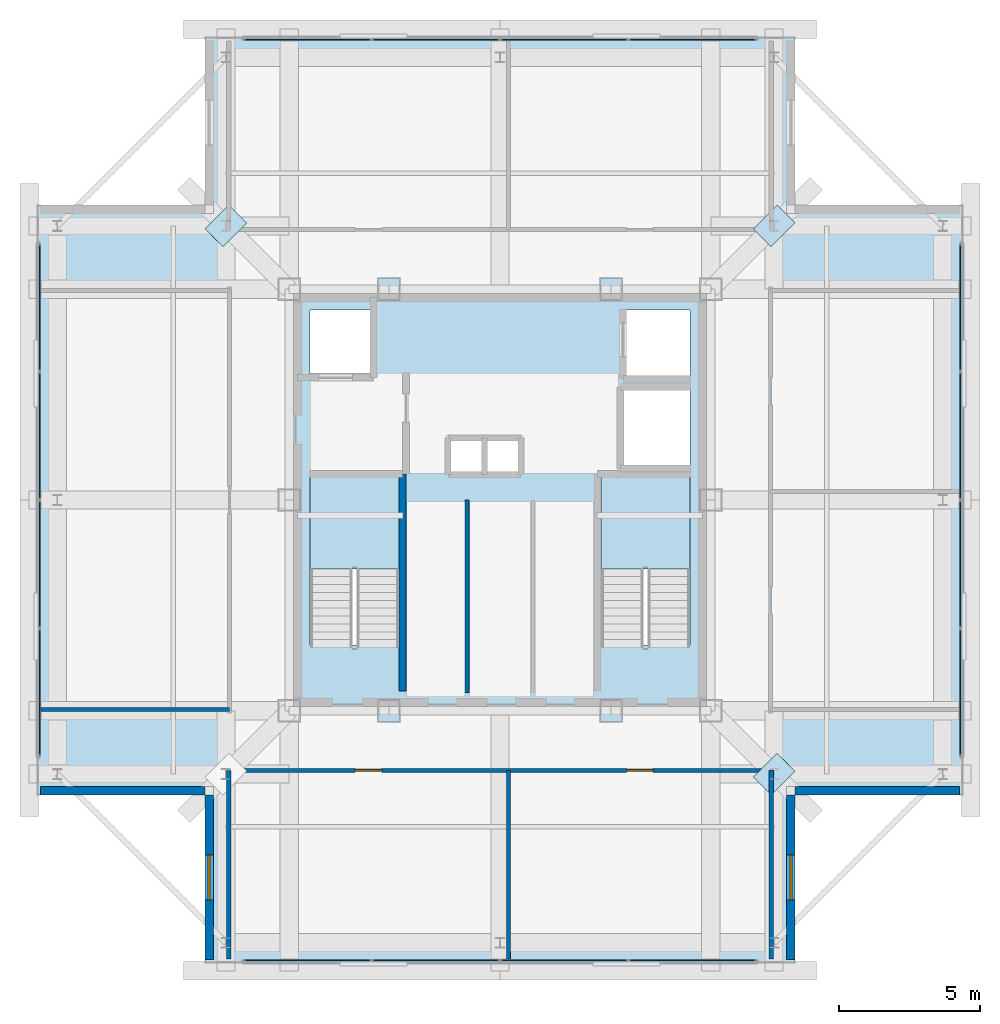
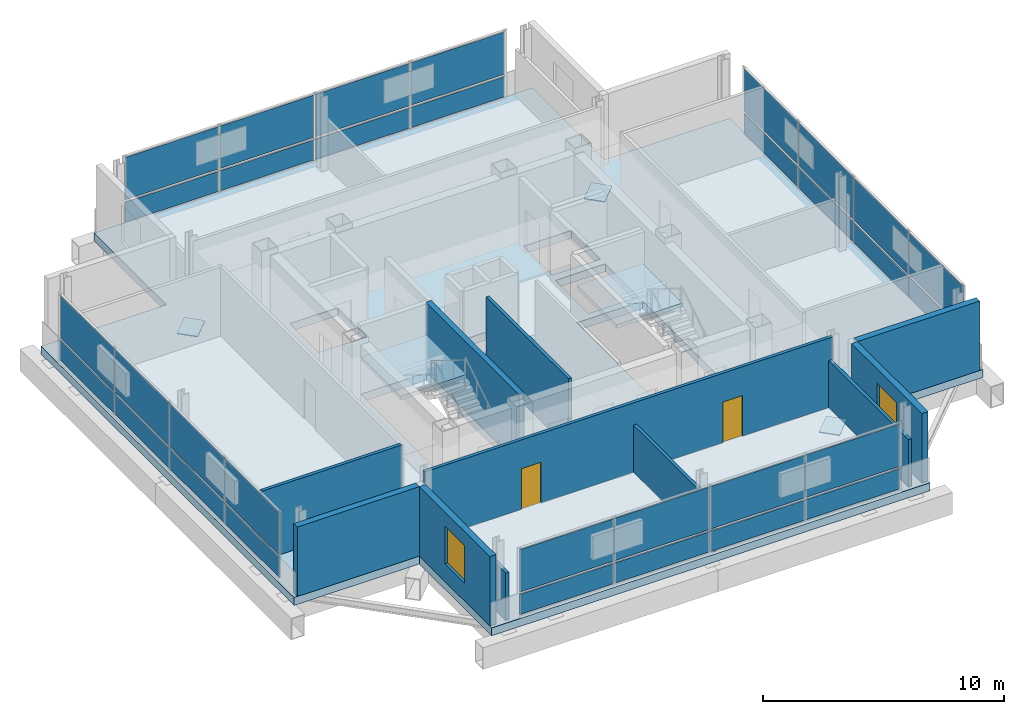
# One storey, part 8 of 12: 35 plates, 11 walls, 3 slabs, 2 doors, 2 windows, 4 openings, 6 elements without a shape of their own.
"""IFC4 building model written with IfcOpenShell, lengths in metres."""

from ifc_helpers import new_model, si_unit, direction, frame, frame_2d, origin, origin_2d, place, context, subcontext, project, spatial, polyline, rectangle, outline, extrude, material, layer, layer_set, type_object, element, fill, aggregate, save


model = new_model("IFC4")

# Units and contexts
model_context = context("Model", 3, precision=1e-05, world=origin(), true_north=direction((0.0, 1.0)))
body_context = subcontext(model_context, "Body", "Model", "MODEL_VIEW")
ifc_project = project(units=[si_unit("LENGTHUNIT", "METRE"), si_unit("AREAUNIT", "SQUARE_METRE"), si_unit("VOLUMEUNIT", "CUBIC_METRE"), si_unit("PLANEANGLEUNIT", "RADIAN"), si_unit("MASSUNIT", "GRAM", prefix="KILO")], contexts=[model_context])

# Site, building, storey
site_placement = place(None, origin())
site = spatial("IfcSite", under=ifc_project, at=site_placement, CompositionType="ELEMENT")
building_placement = place(site_placement, origin())
building = spatial("IfcBuilding", under=site, at=building_placement, Name="Trevonay Congress Spire", CompositionType="ELEMENT")
storey_placement = place(building_placement, frame((0.0, 0.0, 308.39990234375)))
storey = spatial("IfcBuildingStorey", under=building, at=storey_placement, Name="L81", CompositionType="ELEMENT", Elevation=308.39990234375)

# Curtain wall, plates
ifc_material_1 = material(Name="Pale Anodised Aluminium EN AW-6063-T6", Category="aluminium")
ifc_layer_1 = layer(ifc_material_1, 0.159912109375, Name="Pale Anodised Aluminium EN AW-6063-T6")
ifc_layer_set_1 = layer_set([ifc_layer_1], Name="Pale Anodised Aluminium EN AW-6063-T6")
curtain_wall_type = type_object("IfcCurtainWallType", Name="CW-SYS06-CROWN-PALE-METAL", PredefinedType="NOTDEFINED", material=ifc_layer_set_1)
curtain_wall_1_placement = place(storey_placement, origin())
curtain_wall_1 = element("IfcCurtainWall", 1, at=curtain_wall_1_placement, inside=storey, type_object=curtain_wall_type, Name="L81 S unitised curtain wall", PredefinedType="NOTDEFINED")
ifc_material_2 = material(Name="Insulated Low-E Vision Glass IGU", Category="glass")
ifc_layer_2 = layer(ifc_material_2, 0.035888671875, Name="Insulated Low-E Vision Glass IGU")
ifc_layer_set_2 = layer_set([ifc_layer_2], Name="Insulated Low-E Vision Glass IGU")
plate_type_1 = type_object("IfcPlateType", Name="CW-PANEL-IGU36-SILVER", PredefinedType="CURTAIN_PANEL", material=ifc_layer_set_2)
plate_1_placement = place(storey_placement, frame((-6.847412109375, -16.3798828125, 0.1201171875), z_axis=(0.0, 0.0, 1.0), x_axis=(1.0, 0.0, 0.0)))
plate_1 = element("IfcPlate", 2, at=plate_1_placement, type_object=plate_type_1, Name="CW06 panel 1.1", PredefinedType="CURTAIN_PANEL", context=body_context, shape_type="SweptSolid", body=[
    extrude(rectangle(XDim=4.485107421875, YDim=0.035888671875, at=origin_2d()), origin(), (0.0, 0.0, 1.0), 1.016845703125),
])
plate_2_placement = place(storey_placement, frame((-6.847412109375, -16.3798828125, 1.2568359375), z_axis=(0.0, 0.0, 1.0), x_axis=(1.0, 0.0, 0.0)))
plate_2 = element("IfcPlate", 3, at=plate_2_placement, type_object=plate_type_1, Name="CW06 panel 1.2", PredefinedType="CURTAIN_PANEL", context=body_context, shape_type="SweptSolid", body=[
    extrude(rectangle(XDim=4.485107421875, YDim=0.035888671875, at=origin_2d()), origin(), (0.0, 0.0, 1.0), 2.143310546875),
])
plate_3_placement = place(storey_placement, frame((-2.28759765625, -16.3798828125, 0.1201171875), z_axis=(0.0, 0.0, 1.0), x_axis=(1.0, 0.0, 0.0)))
plate_3 = element("IfcPlate", 4, at=plate_3_placement, type_object=plate_type_1, Name="CW06 panel 2.1", PredefinedType="CURTAIN_PANEL", context=body_context, shape_type="SweptSolid", body=[
    extrude(rectangle(XDim=4.514892578125, YDim=0.035888671875, at=origin_2d()), origin(), (0.0, 0.0, 1.0), 1.016845703125),
])
plate_4_placement = place(storey_placement, frame((-2.28759765625, -16.3798828125, 1.2568359375), z_axis=(0.0, 0.0, 1.0), x_axis=(1.0, 0.0, 0.0)))
plate_4 = element("IfcPlate", 5, at=plate_4_placement, type_object=plate_type_1, Name="CW06 panel 2.2", PredefinedType="CURTAIN_PANEL", context=body_context, shape_type="SweptSolid", body=[
    extrude(rectangle(XDim=4.514892578125, YDim=0.035888671875, at=origin_2d()), origin(), (0.0, 0.0, 1.0), 2.143310546875),
])
plate_5_placement = place(storey_placement, frame((2.28759765625, -16.3798828125, 0.1201171875), z_axis=(0.0, 0.0, 1.0), x_axis=(1.0, 0.0, 0.0)))
plate_5 = element("IfcPlate", 6, at=plate_5_placement, type_object=plate_type_1, Name="CW06 panel 3.1", PredefinedType="CURTAIN_PANEL", context=body_context, shape_type="SweptSolid", body=[
    extrude(rectangle(XDim=4.514892578125, YDim=0.035888671875, at=origin_2d()), origin(), (0.0, 0.0, 1.0), 1.016845703125),
])
plate_6_placement = place(storey_placement, frame((2.28759765625, -16.3798828125, 1.2568359375), z_axis=(0.0, 0.0, 1.0), x_axis=(1.0, 0.0, 0.0)))
plate_6 = element("IfcPlate", 7, at=plate_6_placement, type_object=plate_type_1, Name="CW06 panel 3.2", PredefinedType="CURTAIN_PANEL", context=body_context, shape_type="SweptSolid", body=[
    extrude(rectangle(XDim=4.514892578125, YDim=0.035888671875, at=origin_2d()), origin(), (0.0, 0.0, 1.0), 2.143310546875),
])
plate_7_placement = place(storey_placement, frame((6.847412109375, -16.3798828125, 0.1201171875), z_axis=(0.0, 0.0, 1.0), x_axis=(1.0, 0.0, 0.0)))
plate_7 = element("IfcPlate", 8, at=plate_7_placement, type_object=plate_type_1, Name="CW06 panel 4.1", PredefinedType="CURTAIN_PANEL", context=body_context, shape_type="SweptSolid", body=[
    extrude(rectangle(XDim=4.485107421875, YDim=0.035888671875, at=origin_2d()), origin(), (0.0, 0.0, 1.0), 1.016845703125),
])
plate_8_placement = place(storey_placement, frame((6.847412109375, -16.3798828125, 1.2568359375), z_axis=(0.0, 0.0, 1.0), x_axis=(1.0, 0.0, 0.0)))
plate_8 = element("IfcPlate", 9, at=plate_8_placement, type_object=plate_type_1, Name="CW06 panel 4.2", PredefinedType="CURTAIN_PANEL", context=body_context, shape_type="SweptSolid", body=[
    extrude(rectangle(XDim=4.485107421875, YDim=0.035888671875, at=origin_2d()), origin(), (0.0, 0.0, 1.0), 2.143310546875),
])
aggregate(curtain_wall_1, [plate_1, plate_2, plate_3, plate_4, plate_5, plate_6, plate_7, plate_8])

curtain_wall_2_placement = place(storey_placement, origin())
curtain_wall_2 = element("IfcCurtainWall", 10, at=curtain_wall_2_placement, inside=storey, type_object=curtain_wall_type, Name="L81 N unitised curtain wall", PredefinedType="NOTDEFINED")
plate_9_placement = place(storey_placement, frame((-6.847412109375, 16.3798828125, 0.1201171875), z_axis=(0.0, 0.0, 1.0), x_axis=(1.0, 0.0, 0.0)))
plate_9 = element("IfcPlate", 11, at=plate_9_placement, type_object=plate_type_1, Name="CW06 panel 1.1", PredefinedType="CURTAIN_PANEL", context=body_context, shape_type="SweptSolid", body=[
    extrude(rectangle(XDim=4.485107421875, YDim=0.035888671875, at=origin_2d()), origin(), (0.0, 0.0, 1.0), 1.016845703125),
])
plate_10_placement = place(storey_placement, frame((-6.847412109375, 16.3798828125, 1.2568359375), z_axis=(0.0, 0.0, 1.0), x_axis=(1.0, 0.0, 0.0)))
plate_10 = element("IfcPlate", 12, at=plate_10_placement, type_object=plate_type_1, Name="CW06 panel 1.2", PredefinedType="CURTAIN_PANEL", context=body_context, shape_type="SweptSolid", body=[
    extrude(rectangle(XDim=4.485107421875, YDim=0.035888671875, at=origin_2d()), origin(), (0.0, 0.0, 1.0), 2.143310546875),
])
plate_11_placement = place(storey_placement, frame((-2.28759765625, 16.3798828125, 0.1201171875), z_axis=(0.0, 0.0, 1.0), x_axis=(1.0, 0.0, 0.0)))
plate_11 = element("IfcPlate", 13, at=plate_11_placement, type_object=plate_type_1, Name="CW06 panel 2.1", PredefinedType="CURTAIN_PANEL", context=body_context, shape_type="SweptSolid", body=[
    extrude(rectangle(XDim=4.514892578125, YDim=0.035888671875, at=origin_2d()), origin(), (0.0, 0.0, 1.0), 1.016845703125),
])
plate_12_placement = place(storey_placement, frame((-2.28759765625, 16.3798828125, 1.2568359375), z_axis=(0.0, 0.0, 1.0), x_axis=(1.0, 0.0, 0.0)))
plate_12 = element("IfcPlate", 14, at=plate_12_placement, type_object=plate_type_1, Name="CW06 panel 2.2", PredefinedType="CURTAIN_PANEL", context=body_context, shape_type="SweptSolid", body=[
    extrude(rectangle(XDim=4.514892578125, YDim=0.035888671875, at=origin_2d()), origin(), (0.0, 0.0, 1.0), 2.143310546875),
])
plate_13_placement = place(storey_placement, frame((2.28759765625, 16.3798828125, 0.1201171875), z_axis=(0.0, 0.0, 1.0), x_axis=(1.0, 0.0, 0.0)))
plate_13 = element("IfcPlate", 15, at=plate_13_placement, type_object=plate_type_1, Name="CW06 panel 3.1", PredefinedType="CURTAIN_PANEL", context=body_context, shape_type="SweptSolid", body=[
    extrude(rectangle(XDim=4.514892578125, YDim=0.035888671875, at=origin_2d()), origin(), (0.0, 0.0, 1.0), 1.016845703125),
])
plate_14_placement = place(storey_placement, frame((2.28759765625, 16.3798828125, 1.2568359375), z_axis=(0.0, 0.0, 1.0), x_axis=(1.0, 0.0, 0.0)))
plate_14 = element("IfcPlate", 16, at=plate_14_placement, type_object=plate_type_1, Name="CW06 panel 3.2", PredefinedType="CURTAIN_PANEL", context=body_context, shape_type="SweptSolid", body=[
    extrude(rectangle(XDim=4.514892578125, YDim=0.035888671875, at=origin_2d()), origin(), (0.0, 0.0, 1.0), 2.143310546875),
])
plate_15_placement = place(storey_placement, frame((6.847412109375, 16.3798828125, 0.1201171875), z_axis=(0.0, 0.0, 1.0), x_axis=(1.0, 0.0, 0.0)))
plate_15 = element("IfcPlate", 17, at=plate_15_placement, type_object=plate_type_1, Name="CW06 panel 4.1", PredefinedType="CURTAIN_PANEL", context=body_context, shape_type="SweptSolid", body=[
    extrude(rectangle(XDim=4.485107421875, YDim=0.035888671875, at=origin_2d()), origin(), (0.0, 0.0, 1.0), 1.016845703125),
])
plate_16_placement = place(storey_placement, frame((6.847412109375, 16.3798828125, 1.2568359375), z_axis=(0.0, 0.0, 1.0), x_axis=(1.0, 0.0, 0.0)))
plate_16 = element("IfcPlate", 18, at=plate_16_placement, type_object=plate_type_1, Name="CW06 panel 4.2", PredefinedType="CURTAIN_PANEL", context=body_context, shape_type="SweptSolid", body=[
    extrude(rectangle(XDim=4.485107421875, YDim=0.035888671875, at=origin_2d()), origin(), (0.0, 0.0, 1.0), 2.143310546875),
])
aggregate(curtain_wall_2, [plate_9, plate_10, plate_11, plate_12, plate_13, plate_14, plate_15, plate_16])

curtain_wall_3_placement = place(storey_placement, origin())
curtain_wall_3 = element("IfcCurtainWall", 19, at=curtain_wall_3_placement, inside=storey, type_object=curtain_wall_type, Name="L81 W unitised curtain wall", PredefinedType="NOTDEFINED")
plate_17_placement = place(storey_placement, frame((-16.3798828125, -6.847412109375, 0.1201171875), z_axis=(0.0, 0.0, 1.0), x_axis=(0.0, 1.0, 0.0)))
plate_17 = element("IfcPlate", 20, at=plate_17_placement, type_object=plate_type_1, Name="CW06 panel 1.1", PredefinedType="CURTAIN_PANEL", context=body_context, shape_type="SweptSolid", body=[
    extrude(rectangle(XDim=4.485107421875, YDim=0.035888671875, at=origin_2d()), origin(), (0.0, 0.0, 1.0), 1.016845703125),
])
plate_18_placement = place(storey_placement, frame((-16.3798828125, -6.847412109375, 1.2568359375), z_axis=(0.0, 0.0, 1.0), x_axis=(0.0, 1.0, 0.0)))
plate_18 = element("IfcPlate", 21, at=plate_18_placement, type_object=plate_type_1, Name="CW06 panel 1.2", PredefinedType="CURTAIN_PANEL", context=body_context, shape_type="SweptSolid", body=[
    extrude(rectangle(XDim=4.485107421875, YDim=0.035888671875, at=origin_2d()), origin(), (0.0, 0.0, 1.0), 2.143310546875),
])
plate_19_placement = place(storey_placement, frame((-16.3798828125, -2.28759765625, 0.1201171875), z_axis=(0.0, 0.0, 1.0), x_axis=(0.0, 1.0, 0.0)))
plate_19 = element("IfcPlate", 22, at=plate_19_placement, type_object=plate_type_1, Name="CW06 panel 2.1", PredefinedType="CURTAIN_PANEL", context=body_context, shape_type="SweptSolid", body=[
    extrude(rectangle(XDim=4.514892578125, YDim=0.035888671875, at=origin_2d()), origin(), (0.0, 0.0, 1.0), 1.016845703125),
])
plate_20_placement = place(storey_placement, frame((-16.3798828125, -2.28759765625, 1.2568359375), z_axis=(0.0, 0.0, 1.0), x_axis=(0.0, 1.0, 0.0)))
plate_20 = element("IfcPlate", 23, at=plate_20_placement, type_object=plate_type_1, Name="CW06 panel 2.2", PredefinedType="CURTAIN_PANEL", context=body_context, shape_type="SweptSolid", body=[
    extrude(rectangle(XDim=4.514892578125, YDim=0.035888671875, at=origin_2d()), origin(), (0.0, 0.0, 1.0), 2.143310546875),
])
plate_21_placement = place(storey_placement, frame((-16.3798828125, 2.28759765625, 0.1201171875), z_axis=(0.0, 0.0, 1.0), x_axis=(0.0, 1.0, 0.0)))
plate_21 = element("IfcPlate", 24, at=plate_21_placement, type_object=plate_type_1, Name="CW06 panel 3.1", PredefinedType="CURTAIN_PANEL", context=body_context, shape_type="SweptSolid", body=[
    extrude(rectangle(XDim=4.514892578125, YDim=0.035888671875, at=origin_2d()), origin(), (0.0, 0.0, 1.0), 1.016845703125),
])
plate_22_placement = place(storey_placement, frame((-16.3798828125, 2.28759765625, 1.2568359375), z_axis=(0.0, 0.0, 1.0), x_axis=(0.0, 1.0, 0.0)))
plate_22 = element("IfcPlate", 25, at=plate_22_placement, type_object=plate_type_1, Name="CW06 panel 3.2", PredefinedType="CURTAIN_PANEL", context=body_context, shape_type="SweptSolid", body=[
    extrude(rectangle(XDim=4.514892578125, YDim=0.035888671875, at=origin_2d()), origin(), (0.0, 0.0, 1.0), 2.143310546875),
])
plate_23_placement = place(storey_placement, frame((-16.3798828125, 6.847412109375, 0.1201171875), z_axis=(0.0, 0.0, 1.0), x_axis=(0.0, 1.0, 0.0)))
plate_23 = element("IfcPlate", 26, at=plate_23_placement, type_object=plate_type_1, Name="CW06 panel 4.1", PredefinedType="CURTAIN_PANEL", context=body_context, shape_type="SweptSolid", body=[
    extrude(rectangle(XDim=4.485107421875, YDim=0.035888671875, at=origin_2d()), origin(), (0.0, 0.0, 1.0), 1.016845703125),
])
plate_24_placement = place(storey_placement, frame((-16.3798828125, 6.847412109375, 1.2568359375), z_axis=(0.0, 0.0, 1.0), x_axis=(0.0, 1.0, 0.0)))
plate_24 = element("IfcPlate", 27, at=plate_24_placement, type_object=plate_type_1, Name="CW06 panel 4.2", PredefinedType="CURTAIN_PANEL", context=body_context, shape_type="SweptSolid", body=[
    extrude(rectangle(XDim=4.485107421875, YDim=0.035888671875, at=origin_2d()), origin(), (0.0, 0.0, 1.0), 2.143310546875),
])
aggregate(curtain_wall_3, [plate_17, plate_18, plate_19, plate_20, plate_21, plate_22, plate_23, plate_24])

curtain_wall_4_placement = place(storey_placement, origin())
curtain_wall_4 = element("IfcCurtainWall", 28, at=curtain_wall_4_placement, inside=storey, type_object=curtain_wall_type, Name="L81 E unitised curtain wall", PredefinedType="NOTDEFINED")
plate_25_placement = place(storey_placement, frame((16.3798828125, -6.847412109375, 0.1201171875), z_axis=(0.0, 0.0, 1.0), x_axis=(0.0, 1.0, 0.0)))
plate_25 = element("IfcPlate", 29, at=plate_25_placement, type_object=plate_type_1, Name="CW06 panel 1.1", PredefinedType="CURTAIN_PANEL", context=body_context, shape_type="SweptSolid", body=[
    extrude(rectangle(XDim=4.485107421875, YDim=0.035888671875, at=origin_2d()), origin(), (0.0, 0.0, 1.0), 1.016845703125),
])
plate_26_placement = place(storey_placement, frame((16.3798828125, -6.847412109375, 1.2568359375), z_axis=(0.0, 0.0, 1.0), x_axis=(0.0, 1.0, 0.0)))
plate_26 = element("IfcPlate", 30, at=plate_26_placement, type_object=plate_type_1, Name="CW06 panel 1.2", PredefinedType="CURTAIN_PANEL", context=body_context, shape_type="SweptSolid", body=[
    extrude(rectangle(XDim=4.485107421875, YDim=0.035888671875, at=origin_2d()), origin(), (0.0, 0.0, 1.0), 2.143310546875),
])
plate_27_placement = place(storey_placement, frame((16.3798828125, -2.28759765625, 0.1201171875), z_axis=(0.0, 0.0, 1.0), x_axis=(0.0, 1.0, 0.0)))
plate_27 = element("IfcPlate", 31, at=plate_27_placement, type_object=plate_type_1, Name="CW06 panel 2.1", PredefinedType="CURTAIN_PANEL", context=body_context, shape_type="SweptSolid", body=[
    extrude(rectangle(XDim=4.514892578125, YDim=0.035888671875, at=origin_2d()), origin(), (0.0, 0.0, 1.0), 1.016845703125),
])
plate_28_placement = place(storey_placement, frame((16.3798828125, -2.28759765625, 1.2568359375), z_axis=(0.0, 0.0, 1.0), x_axis=(0.0, 1.0, 0.0)))
plate_28 = element("IfcPlate", 32, at=plate_28_placement, type_object=plate_type_1, Name="CW06 panel 2.2", PredefinedType="CURTAIN_PANEL", context=body_context, shape_type="SweptSolid", body=[
    extrude(rectangle(XDim=4.514892578125, YDim=0.035888671875, at=origin_2d()), origin(), (0.0, 0.0, 1.0), 2.143310546875),
])
plate_29_placement = place(storey_placement, frame((16.3798828125, 2.28759765625, 0.1201171875), z_axis=(0.0, 0.0, 1.0), x_axis=(0.0, 1.0, 0.0)))
plate_29 = element("IfcPlate", 33, at=plate_29_placement, type_object=plate_type_1, Name="CW06 panel 3.1", PredefinedType="CURTAIN_PANEL", context=body_context, shape_type="SweptSolid", body=[
    extrude(rectangle(XDim=4.514892578125, YDim=0.035888671875, at=origin_2d()), origin(), (0.0, 0.0, 1.0), 1.016845703125),
])
plate_30_placement = place(storey_placement, frame((16.3798828125, 2.28759765625, 1.2568359375), z_axis=(0.0, 0.0, 1.0), x_axis=(0.0, 1.0, 0.0)))
plate_30 = element("IfcPlate", 34, at=plate_30_placement, type_object=plate_type_1, Name="CW06 panel 3.2", PredefinedType="CURTAIN_PANEL", context=body_context, shape_type="SweptSolid", body=[
    extrude(rectangle(XDim=4.514892578125, YDim=0.035888671875, at=origin_2d()), origin(), (0.0, 0.0, 1.0), 2.143310546875),
])
plate_31_placement = place(storey_placement, frame((16.3798828125, 6.847412109375, 0.1201171875), z_axis=(0.0, 0.0, 1.0), x_axis=(0.0, 1.0, 0.0)))
plate_31 = element("IfcPlate", 35, at=plate_31_placement, type_object=plate_type_1, Name="CW06 panel 4.1", PredefinedType="CURTAIN_PANEL", context=body_context, shape_type="SweptSolid", body=[
    extrude(rectangle(XDim=4.485107421875, YDim=0.035888671875, at=origin_2d()), origin(), (0.0, 0.0, 1.0), 1.016845703125),
])
plate_32_placement = place(storey_placement, frame((16.3798828125, 6.847412109375, 1.2568359375), z_axis=(0.0, 0.0, 1.0), x_axis=(0.0, 1.0, 0.0)))
plate_32 = element("IfcPlate", 36, at=plate_32_placement, type_object=plate_type_1, Name="CW06 panel 4.2", PredefinedType="CURTAIN_PANEL", context=body_context, shape_type="SweptSolid", body=[
    extrude(rectangle(XDim=4.485107421875, YDim=0.035888671875, at=origin_2d()), origin(), (0.0, 0.0, 1.0), 2.143310546875),
])
aggregate(curtain_wall_4, [plate_25, plate_26, plate_27, plate_28, plate_29, plate_30, plate_31, plate_32])

# Plates
ifc_material_3 = material(Name="Steel ASTM A572 Grade 50", Category="steel")
ifc_layer_3 = layer(ifc_material_3, 0.044921875, Name="Steel ASTM A572 Grade 50")
ifc_layer_set_3 = layer_set([ifc_layer_3], Name="Steel ASTM A572 Grade 50")
plate_type_2 = type_object("IfcPlateType", Name="PLT-GUSSET-INT-45", PredefinedType="USERDEFINED", material=ifc_layer_set_3)
for number, where, z_axis, x_axis, name in (
    (37, (9.75, -9.75, -0.972412109375), (0.0, 0.0, 1.0), (0.707106781187, 0.707106781187, 0.0), "L81 setback column transfer gusset plate KN-01 (SE)"),
    (38, (9.75, 9.75, -0.972412109375), (0.0, 0.0, 1.0), (0.707106781187, 0.707106781187, 0.0), "L81 setback column transfer gusset plate KN-01 (NE)"),
    (39, (-9.75, 9.75, -0.972412109375), (0.0, 0.0, 1.0), (0.707106781187, 0.707106781187, 0.0), "L81 setback column transfer gusset plate KN-01 (NW)"),
):
    element("IfcPlate", number, at=place(storey_placement, frame(where, z_axis=z_axis, x_axis=x_axis)), inside=storey, type_object=plate_type_2, Name=name, ObjectType="GUSSET_PLATE", PredefinedType="USERDEFINED", context=body_context, shape_type="SweptSolid", body=[
        extrude(rectangle(XDim=1.199951171875, YDim=0.89990234375, at=origin_2d()), origin(), (0.0, 0.0, 1.0), 0.044921875),
    ])

# Stair, slab
ifc_material_4 = material(Name="Concrete C40/50", Category="concrete")
stair_type_1 = type_object("IfcStairType", Name="STR-ST-1", PredefinedType="HALF_TURN_STAIR", material=ifc_material_4)
stair_1_placement = place(storey_placement, origin())
stair_1 = element("IfcStair", 40, at=stair_1_placement, inside=storey, type_object=stair_type_1, Name="L81 Protected Exit Stair ST-1", PredefinedType="HALF_TURN_STAIR")
ifc_layer_4 = layer(ifc_material_4, 0.199951171875, Name="Concrete C40/50")
ifc_layer_set_4 = layer_set([ifc_layer_4], Name="Concrete C40/50")
slab_type_1 = type_object("IfcSlabType", Name="SLB-STAIR-LAND-200", PredefinedType="LANDING", material=ifc_layer_set_4)
slab_1_placement = place(storey_placement, frame((0.0, 0.0, 1.7001953125)))
slab_1 = element("IfcSlab", 41, at=slab_1_placement, type_object=slab_type_1, Name="ST-1 landing 1", PredefinedType="LANDING", context=body_context, shape_type="SweptSolid", body=[
    extrude(outline(polyline([(-3.60009765625, -2.449951171875), (-3.60009765625, 0.85009765625), (-6.75, 0.85009765625), (-6.75, -2.449951171875), (-3.60009765625, -2.449951171875)])), origin(), (0.0, 0.0, 1.0), 0.199951171875),
])
aggregate(stair_1, [slab_1])

stair_type_2 = type_object("IfcStairType", Name="STR-ST-2", PredefinedType="HALF_TURN_STAIR", material=ifc_material_4)
stair_2_placement = place(storey_placement, origin())
stair_2 = element("IfcStair", 42, at=stair_2_placement, inside=storey, type_object=stair_type_2, Name="L81 Protected Exit Stair ST-2", PredefinedType="HALF_TURN_STAIR")
slab_2_placement = place(storey_placement, frame((0.0, 0.0, 1.7001953125)))
slab_2 = element("IfcSlab", 43, at=slab_2_placement, type_object=slab_type_1, Name="ST-2 landing 1", PredefinedType="LANDING", context=body_context, shape_type="SweptSolid", body=[
    extrude(outline(polyline([(6.75, -2.449951171875), (6.75, 0.85009765625), (3.60009765625, 0.85009765625), (3.60009765625, -2.449951171875), (6.75, -2.449951171875)])), origin(), (0.0, 0.0, 1.0), 0.199951171875),
])
aggregate(stair_2, [slab_2])

# Slab
ifc_layer_5 = layer(ifc_material_4, 0.39990234375, Name="Concrete C40/50")
ifc_layer_set_5 = layer_set([ifc_layer_5], Name="Concrete C40/50")
slab_type_2 = type_object("IfcSlabType", Name="SLB-XFER-400", PredefinedType="FLOOR", material=ifc_layer_set_5)
slab_3_placement = place(storey_placement, frame((0.0, 0.0, -0.39990234375)))
element("IfcSlab", 44, at=slab_3_placement, inside=storey, type_object=slab_type_2, Name="L81 structural floor slab", PredefinedType="FLOOR", context=body_context, shape_type="SweptSolid", body=[
    extrude(outline(polyline([(-10.5, -16.5), (10.5, -16.5), (10.5, -10.5), (16.5, -10.5), (16.5, 10.5), (10.5, 10.5), (10.5, 16.5), (-10.5, 16.5), (-10.5, 10.5), (-16.5, 10.5), (-16.5, -10.5), (-10.5, -10.5), (-10.5, -16.5)]), holes=[polyline([(-3.60009765625, -5.14990234375), (-3.60009765625, 0.85009765625), (-6.75, 0.85009765625), (-6.75, -5.14990234375), (-3.60009765625, -5.14990234375)]), polyline([(6.75, -5.14990234375), (6.75, 0.85009765625), (3.60009765625, 0.85009765625), (3.60009765625, -5.14990234375), (6.75, -5.14990234375)]), polyline([(-6.75, 4.35009765625), (-4.449951171875, 4.35009765625), (-4.449951171875, 6.75), (-6.75, 6.75), (-6.75, 4.35009765625)]), polyline([(4.449951171875, 4.35009765625), (6.75, 4.35009765625), (6.75, 6.75), (4.449951171875, 6.75), (4.449951171875, 4.35009765625)]), polyline([(4.35009765625, 1.199951171875), (6.75, 1.199951171875), (6.75, 3.949951171875), (4.35009765625, 3.949951171875), (4.35009765625, 1.199951171875)]), polyline([(-1.800048828125, 0.949951171875), (0.699951171875, 0.949951171875), (0.699951171875, 2.14990234375), (-1.800048828125, 2.14990234375), (-1.800048828125, 0.949951171875)])]), origin(), (0.0, 0.0, 1.0), 0.39990234375),
])

# Wall, openings, doors
ifc_layer_6 = layer(ifc_material_4, 0.14990234375, Name="Concrete C40/50")
ifc_layer_set_6 = layer_set([ifc_layer_6], Name="Concrete C40/50")
wall_type_1 = type_object("IfcWallType", Name="WAL-CORR-150", PredefinedType="PARTITIONING", material=ifc_layer_set_6)
wall_1_placement = place(storey_placement, frame((-9.77001953125, -9.6201171875, 0.0), z_axis=(0.0, 0.0, 1.0), x_axis=(1.0, 0.0, 0.0)))
wall_1 = element("IfcWall", 45, at=wall_1_placement, inside=storey, type_object=wall_type_1, Name="L81 interior wall WP-L81S-COR", PredefinedType="PARTITIONING", context=body_context, shape_type="SweptSolid", body=[
    extrude(rectangle(XDim=19.5400390625, YDim=0.14990234375, at=frame_2d((9.77001953125, 0.0))), origin(), (0.0, 0.0, 1.0), 3.52001953125),
])
opening_1_placement = place(wall_1_placement, frame((4.6201171875, 0.0, 0.0)))
opening_1 = element("IfcOpeningElement", 46, at=opening_1_placement, cuts=wall_1, Name="Opening D07", PredefinedType="OPENING", context=body_context, shape_type="SweptSolid", body=[
    extrude(rectangle(XDim=0.949951171875, YDim=2.06005859375, at=frame_2d((0.47509765625, 1.030029296875))), frame((0.0, 0.0849609375, 0.0), z_axis=(0.0, -1.0, 0.0), x_axis=(1.0, 0.0, 0.0)), (0.0, 0.0, 1.0), 0.169921875),
])
opening_2_placement = place(wall_1_placement, frame((14.27001953125, 0.0, 0.0)))
opening_2 = element("IfcOpeningElement", 47, at=opening_2_placement, cuts=wall_1, Name="Opening D07", PredefinedType="OPENING", context=body_context, shape_type="SweptSolid", body=[
    extrude(rectangle(XDim=0.949951171875, YDim=2.06005859375, at=frame_2d((0.47509765625, 1.030029296875))), frame((0.0, 0.0849609375, 0.0), z_axis=(0.0, -1.0, 0.0), x_axis=(1.0, 0.0, 0.0)), (0.0, 0.0, 1.0), 0.169921875),
])
door_type = type_object("IfcDoorType", Name="DOR-OFFICE-95", OperationType="NOTDEFINED", PredefinedType="DOOR", material=ifc_material_1)
door_1_placement = place(opening_1_placement, origin())
door_1 = element("IfcDoor", 48, at=door_1_placement, inside=storey, type_object=door_type, Name="L81 Tuned Mass Damper Chamber South Door", OperationType="SINGLE_SWING_RIGHT", OverallHeight=2.06005859375, OverallWidth=0.949951171875, PredefinedType="DOOR", context=body_context, shape_type="SweptSolid", body=[
    extrude(rectangle(XDim=0.949951171875, YDim=2.06005859375, at=frame_2d((0.47509765625, 1.030029296875))), frame((0.0, 0.02490234375, 0.0), z_axis=(0.0, -1.0, 0.0), x_axis=(1.0, 0.0, 0.0)), (0.0, 0.0, 1.0), 0.050048828125),
])
fill(opening_1, door_1)
door_2_placement = place(opening_2_placement, origin())
door_2 = element("IfcDoor", 49, at=door_2_placement, inside=storey, type_object=door_type, Name="L81 Damper Hydraulic Control Plant Door", OperationType="SINGLE_SWING_LEFT", OverallHeight=2.06005859375, OverallWidth=0.949951171875, PredefinedType="DOOR", context=body_context, shape_type="SweptSolid", body=[
    extrude(rectangle(XDim=0.949951171875, YDim=2.06005859375, at=frame_2d((0.47509765625, 1.030029296875))), frame((0.0, 0.02490234375, 0.0), z_axis=(0.0, -1.0, 0.0), x_axis=(1.0, 0.0, 0.0)), (0.0, 0.0, 1.0), 0.050048828125),
])
fill(opening_2, door_2)

# Wall, opening, window
ifc_material_5 = material(Name="Precast concrete C40/50", Category="concrete")
ifc_layer_7 = layer(ifc_material_5, 0.300048828125, Name="Precast concrete C40/50")
ifc_layer_set_7 = layer_set([ifc_layer_7], Name="Precast concrete C40/50")
wall_type_2 = type_object("IfcWallType", Name="WAL-EXT-PRECAST-300", PredefinedType="SOLIDWALL", material=ifc_layer_set_7)
wall_2_placement = place(storey_placement, frame((-10.35009765625, -16.35009765625, 0.0), z_axis=(0.0, 0.0, 1.0), x_axis=(0.0, 1.0, 0.0)))
wall_2 = element("IfcWall", 50, at=wall_2_placement, inside=storey, type_object=wall_type_2, Name="L81 SW re-entrant notch exterior wall 1", PredefinedType="SOLIDWALL", context=body_context, shape_type="SweptSolid", body=[
    extrude(rectangle(XDim=5.85009765625, YDim=0.300048828125, at=frame_2d((2.925048828125, 0.0))), origin(), (0.0, 0.0, 1.0), 3.52001953125),
])
opening_3_placement = place(wall_2_placement, frame((2.125, 0.0, 0.89990234375)))
opening_3 = element("IfcOpeningElement", 51, at=opening_3_placement, cuts=wall_2, Name="Opening WN04", PredefinedType="OPENING", context=body_context, shape_type="SweptSolid", body=[
    extrude(rectangle(XDim=1.60009765625, YDim=1.89990234375, at=frame_2d((0.800048828125, 0.949951171875))), frame((0.0, 0.16015625, 0.0), z_axis=(0.0, -1.0, 0.0), x_axis=(1.0, 0.0, 0.0)), (0.0, 0.0, 1.0), 0.320068359375),
])
window_type = type_object("IfcWindowType", Name="WIN-CROWN-160X190", PartitioningType="SINGLE_PANEL", PredefinedType="WINDOW", material=ifc_material_2)
window_1_placement = place(opening_3_placement, origin())
window_1 = element("IfcWindow", 52, at=window_1_placement, inside=storey, type_object=window_type, Name="L81 SW corner notch window", OverallHeight=1.89990234375, OverallWidth=1.60009765625, PartitioningType="SINGLE_PANEL", PredefinedType="WINDOW", context=body_context, shape_type="SweptSolid", body=[
    extrude(rectangle(XDim=1.60009765625, YDim=1.89990234375, at=frame_2d((0.800048828125, 0.949951171875))), frame((0.0, 0.030029296875, 0.0), z_axis=(0.0, -1.0, 0.0), x_axis=(1.0, 0.0, 0.0)), (0.0, 0.0, 1.0), 0.06005859375),
])
fill(opening_3, window_1)

# Wall
wall_3_placement = place(storey_placement, frame((-16.35009765625, -10.35009765625, 0.0), z_axis=(0.0, 0.0, 1.0), x_axis=(1.0, 0.0, 0.0)))
element("IfcWall", 53, at=wall_3_placement, inside=storey, type_object=wall_type_2, Name="L81 SW re-entrant notch exterior wall 2", PredefinedType="SOLIDWALL", context=body_context, shape_type="SweptSolid", body=[
    extrude(rectangle(XDim=5.85009765625, YDim=0.300048828125, at=frame_2d((2.925048828125, 0.0))), origin(), (0.0, 0.0, 1.0), 3.52001953125),
])

# Wall, opening, window
wall_4_placement = place(storey_placement, frame((10.35009765625, -16.35009765625, 0.0), z_axis=(0.0, 0.0, 1.0), x_axis=(0.0, 1.0, 0.0)))
wall_4 = element("IfcWall", 54, at=wall_4_placement, inside=storey, type_object=wall_type_2, Name="L81 SE re-entrant notch exterior wall 1", PredefinedType="SOLIDWALL", context=body_context, shape_type="SweptSolid", body=[
    extrude(rectangle(XDim=5.85009765625, YDim=0.300048828125, at=frame_2d((2.925048828125, 0.0))), origin(), (0.0, 0.0, 1.0), 3.52001953125),
])
opening_4_placement = place(wall_4_placement, frame((2.125, 0.0, 0.89990234375)))
opening_4 = element("IfcOpeningElement", 55, at=opening_4_placement, cuts=wall_4, Name="Opening WN04", PredefinedType="OPENING", context=body_context, shape_type="SweptSolid", body=[
    extrude(rectangle(XDim=1.60009765625, YDim=1.89990234375, at=frame_2d((0.800048828125, 0.949951171875))), frame((0.0, 0.16015625, 0.0), z_axis=(0.0, -1.0, 0.0), x_axis=(1.0, 0.0, 0.0)), (0.0, 0.0, 1.0), 0.320068359375),
])
window_2_placement = place(opening_4_placement, origin())
window_2 = element("IfcWindow", 56, at=window_2_placement, inside=storey, type_object=window_type, Name="L81 SE corner notch window", OverallHeight=1.89990234375, OverallWidth=1.60009765625, PartitioningType="SINGLE_PANEL", PredefinedType="WINDOW", context=body_context, shape_type="SweptSolid", body=[
    extrude(rectangle(XDim=1.60009765625, YDim=1.89990234375, at=frame_2d((0.800048828125, 0.949951171875))), frame((0.0, 0.030029296875, 0.0), z_axis=(0.0, -1.0, 0.0), x_axis=(1.0, 0.0, 0.0)), (0.0, 0.0, 1.0), 0.06005859375),
])
fill(opening_4, window_2)

# Walls
wall_5_placement = place(storey_placement, frame((16.35009765625, -10.35009765625, 0.0), z_axis=(0.0, 0.0, 1.0), x_axis=(-1.0, 0.0, 0.0)))
element("IfcWall", 57, at=wall_5_placement, inside=storey, type_object=wall_type_2, Name="L81 SE re-entrant notch exterior wall 2", PredefinedType="SOLIDWALL", context=body_context, shape_type="SweptSolid", body=[
    extrude(rectangle(XDim=5.85009765625, YDim=0.300048828125, at=frame_2d((2.925048828125, 0.0))), origin(), (0.0, 0.0, 1.0), 3.52001953125),
])
ifc_layer_8 = layer(ifc_material_4, 0.14990234375, Name="Concrete C40/50")
ifc_layer_set_8 = layer_set([ifc_layer_8], Name="Concrete C40/50")
wall_type_3 = type_object("IfcWallType", Name="WAL-PART-150", PredefinedType="PARTITIONING", material=ifc_layer_set_8)
wall_6_placement = place(storey_placement, frame((-1.169921875, -6.85009765625, 0.0), z_axis=(0.0, 0.0, 1.0), x_axis=(0.0, 1.0, 0.0)))
element("IfcWall", 58, at=wall_6_placement, inside=storey, type_object=wall_type_3, Name="L81 interior wall CW-F2A-L81", PredefinedType="PARTITIONING", context=body_context, shape_type="SweptSolid", body=[
    extrude(rectangle(XDim=6.85009765625, YDim=0.14990234375, at=frame_2d((3.425048828125, 0.0))), origin(), (0.0, 0.0, 1.0), 3.52001953125),
])
for number, where, z_axis, x_axis, name in (
    (59, (-9.64990234375, -16.320068359375, 0.0), (0.0, 0.0, 1.0), (0.0, 1.0, 0.0), "L81 interior wall WP-L81S-DIV1"),
    (60, (0.300048828125, -16.320068359375, 0.0), (0.0, 0.0, 1.0), (0.0, 1.0, 0.0), "L81 interior wall WP-L81S-DIV2"),
    (61, (9.64990234375, -16.320068359375, 0.0), (0.0, 0.0, 1.0), (0.0, 1.0, 0.0), "L81 interior wall WP-L81S-DIV3"),
):
    element("IfcWall", number, at=place(storey_placement, frame(where, z_axis=z_axis, x_axis=x_axis)), inside=storey, type_object=wall_type_3, Name=name, PredefinedType="PARTITIONING", context=body_context, shape_type="SweptSolid", body=[
        extrude(rectangle(XDim=6.699951171875, YDim=0.14990234375, at=frame_2d((3.35009765625, 0.0))), origin(), (0.0, 0.0, 1.0), 2.39501953125),
    ])
wall_7_placement = place(storey_placement, frame((-16.320068359375, -7.449951171875, 0.0), z_axis=(0.0, 0.0, 1.0), x_axis=(1.0, 0.0, 0.0)))
element("IfcWall", 62, at=wall_7_placement, inside=storey, type_object=wall_type_3, Name="L81 interior wall WP-L81W-DIV1", PredefinedType="PARTITIONING", context=body_context, shape_type="SweptSolid", body=[
    extrude(rectangle(XDim=6.699951171875, YDim=0.14990234375, at=frame_2d((3.35009765625, 0.0))), origin(), (0.0, 0.0, 1.0), 3.52001953125),
])
ifc_layer_9 = layer(ifc_material_4, 0.25, Name="Concrete C40/50")
ifc_layer_set_9 = layer_set([ifc_layer_9], Name="Concrete C40/50")
wall_type_4 = type_object("IfcWallType", Name="WAL-SHAFT-LB-250", PredefinedType="SHEAR", material=ifc_layer_set_9)
wall_8_placement = place(storey_placement, frame((-3.469970703125, -6.800048828125, 0.0), z_axis=(0.0, 0.0, 1.0), x_axis=(0.0, 1.0, 0.0)))
element("IfcWall", 63, at=wall_8_placement, inside=storey, type_object=wall_type_4, Name="L81 interior shaft wall WSH-L81-ST1-E", PredefinedType="SHEAR", context=body_context, shape_type="SweptSolid", body=[
    extrude(rectangle(XDim=7.719970703125, YDim=0.25, at=frame_2d((3.85986328125, 0.0))), origin(), (0.0, 0.0, 1.0), 3.52001953125),
])

save(model, "model.ifc")
